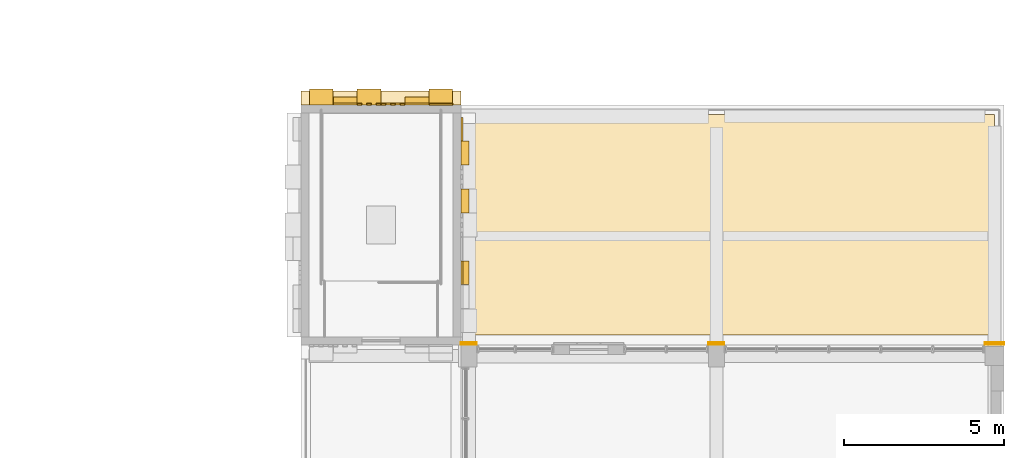
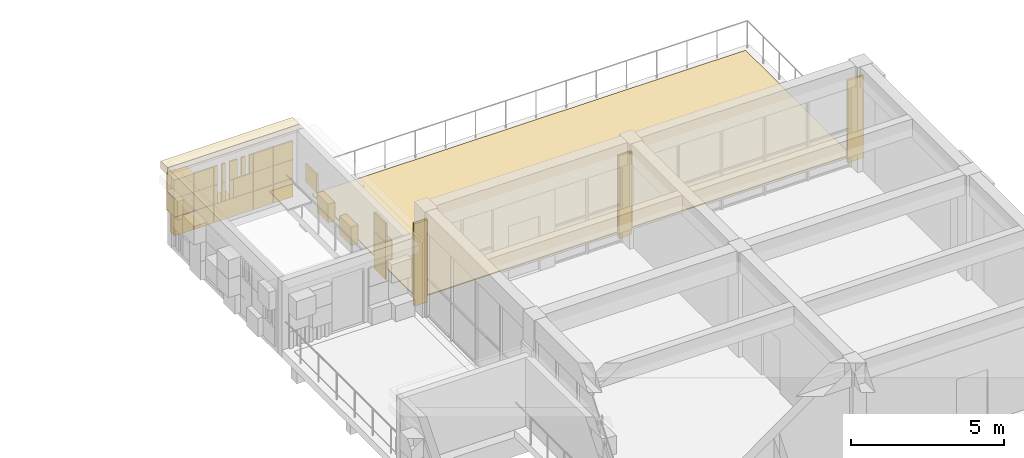
# One storey, part 26 of 26: 10 coverings.
"""IFC4 building model written with IfcOpenShell, lengths in metres."""

from ifc_helpers import new_model, si_unit, direction, frame, origin, origin_2d, place, context, subcontext, project, spatial, polyline, rectangle, outline, extrude, material, layer, layer_set, type_object, element, save


model = new_model("IFC4")

# Units and contexts
model_context = context("Model", 3, precision=1e-05, world=origin(), true_north=direction((0.0, 1.0)))
body_context = subcontext(model_context, "Body", "Model", "MODEL_VIEW")
ifc_project = project(units=[si_unit("LENGTHUNIT", "METRE"), si_unit("AREAUNIT", "SQUARE_METRE"), si_unit("VOLUMEUNIT", "CUBIC_METRE"), si_unit("PLANEANGLEUNIT", "RADIAN"), si_unit("MASSUNIT", "GRAM", prefix="KILO")], contexts=[model_context])

# Site, building, storey
site_placement = place(None, origin())
site = spatial("IfcSite", under=ifc_project, at=site_placement, CompositionType="ELEMENT")
building_placement = place(site_placement, origin())
building = spatial("IfcBuilding", under=site, at=building_placement, Name="Sun Court Science Centre", CompositionType="ELEMENT")
storey_placement = place(building_placement, frame((0.0, 0.0, 29.25)))
storey = spatial("IfcBuildingStorey", under=building, at=storey_placement, Name="L06", CompositionType="ELEMENT", Elevation=29.25)

# Coverings
ifc_material_1 = material(Name="Red sandstone", Category="masonry")
ifc_layer_1 = layer(ifc_material_1, 0.080078125)
ifc_layer_set_1 = layer_set([ifc_layer_1], Name="Red sandstone")
covering_type_1 = type_object("IfcCoveringType", Name="Red sandstone pier cladding", PredefinedType="CLADDING", material=ifc_layer_set_1)
covering_1_placement = place(storey_placement, frame((0.0, 0.0, -29.25)))
element("IfcCovering", 1, at=covering_1_placement, inside=storey, type_object=covering_type_1, Name="Red sandstone pier cladding observatory north face L06", PredefinedType="CLADDING", context=body_context, shape_type="SweptSolid", body=[
    extrude(rectangle(XDim=0.5, YDim=0.080078125, at=origin_2d()), frame((87.25, 73.5400390625, 29.25), z_axis=(0.0, 0.0, 1.0), x_axis=(1.0, 0.0, 0.0)), (0.0, 0.0, 1.0), 3.300048828125),
    extrude(rectangle(XDim=0.5, YDim=0.080078125, at=origin_2d()), frame((95.0, 73.5400390625, 29.25), z_axis=(0.0, 0.0, 1.0), x_axis=(1.0, 0.0, 0.0)), (0.0, 0.0, 1.0), 3.300048828125),
    extrude(rectangle(XDim=0.60009765625, YDim=0.080078125, at=origin_2d()), frame((103.699951171875, 73.5400390625, 29.25), z_axis=(0.0, 0.0, 1.0), x_axis=(1.0, 0.0, 0.0)), (0.0, 0.0, 1.0), 3.300048828125),
])
ifc_material_2 = material(Name="Sandstone paving", Category="masonry")
ifc_layer_2 = layer(ifc_material_2, 0.0400390625)
ifc_layer_set_2 = layer_set([ifc_layer_2], Name="Sandstone paving")
covering_type_2 = type_object("IfcCoveringType", Name="Terrace paving 40", PredefinedType="FLOORING", material=ifc_layer_set_2)
covering_2_placement = place(storey_placement, origin())
element("IfcCovering", 2, at=covering_2_placement, inside=storey, type_object=covering_type_2, Name="Observatory terrace paving", PredefinedType="FLOORING", context=body_context, shape_type="SweptSolid", body=[
    extrude(outline(polyline([(103.699951171875, 80.699951171875), (103.699951171875, 73.81005859375), (87.300048828125, 73.81005859375), (87.300048828125, 80.699951171875), (103.699951171875, 80.699951171875)])), origin(), (0.0, 0.0, 1.0), 0.0400390625),
])
ifc_material_3 = material(Name="Terracotta panel", Category="masonry")
ifc_layer_3 = layer(ifc_material_3, 0.449951171875)
ifc_layer_set_3 = layer_set([ifc_layer_3], Name="Terracotta panel")
covering_type_3 = type_object("IfcCoveringType", Name="Terracotta cornice 450", PredefinedType="CLADDING", material=ifc_layer_set_3)
covering_3_placement = place(storey_placement, frame((0.0, 0.0, -29.25)))
element("IfcCovering", 3, at=covering_3_placement, inside=storey, type_object=covering_type_3, Name="Terracotta cornice north face of core L06", PredefinedType="CLADDING", context=body_context, shape_type="SweptSolid", body=[
    extrude(rectangle(XDim=5.0, YDim=0.449951171875, at=origin_2d()), frame((84.5, 81.22509765625, 31.7001953125), z_axis=(0.0, 0.0, 1.0), x_axis=(1.0, 0.0, 0.0)), (0.0, 0.0, 1.0), 0.300048828125),
])
ifc_material_4 = material(Name="Terracotta jali", Category="masonry")
ifc_layer_4 = layer(ifc_material_4, 0.06005859375)
ifc_layer_set_4 = layer_set([ifc_layer_4], Name="Terracotta jali")
covering_type_4 = type_object("IfcCoveringType", Name="Terracotta open jali panel", PredefinedType="CLADDING", material=ifc_layer_set_4)
covering_4_placement = place(storey_placement, frame((0.0, 0.0, -29.25)))
element("IfcCovering", 4, at=covering_4_placement, inside=storey, type_object=covering_type_4, Name="Open jali pixel cladding north face of core L06", PredefinedType="CLADDING", context=body_context, shape_type="SweptSolid", body=[
    extrude(rectangle(XDim=0.139892578125, YDim=0.06005859375, at=origin_2d()), frame((83.824951171875, 81.030029296875, 29.93017578125), z_axis=(0.0, 0.0, 1.0), x_axis=(1.0, 0.0, 0.0)), (0.0, 0.0, 1.0), 0.739990234375),
    extrude(rectangle(XDim=0.139892578125, YDim=0.06005859375, at=origin_2d()), frame((84.125, 81.030029296875, 29.93017578125), z_axis=(0.0, 0.0, 1.0), x_axis=(1.0, 0.0, 0.0)), (0.0, 0.0, 1.0), 0.739990234375),
    extrude(rectangle(XDim=0.139892578125, YDim=0.06005859375, at=origin_2d()), frame((84.425048828125, 81.030029296875, 29.93017578125), z_axis=(0.0, 0.0, 1.0), x_axis=(1.0, 0.0, 0.0)), (0.0, 0.0, 1.0), 0.739990234375),
    extrude(rectangle(XDim=0.139892578125, YDim=0.06005859375, at=origin_2d()), frame((83.824951171875, 81.030029296875, 30.68017578125), z_axis=(0.0, 0.0, 1.0), x_axis=(1.0, 0.0, 0.0)), (0.0, 0.0, 1.0), 0.739990234375),
    extrude(rectangle(XDim=0.139892578125, YDim=0.06005859375, at=origin_2d()), frame((84.125, 81.030029296875, 30.68017578125), z_axis=(0.0, 0.0, 1.0), x_axis=(1.0, 0.0, 0.0)), (0.0, 0.0, 1.0), 0.739990234375),
    extrude(rectangle(XDim=0.139892578125, YDim=0.06005859375, at=origin_2d()), frame((84.425048828125, 81.030029296875, 30.68017578125), z_axis=(0.0, 0.0, 1.0), x_axis=(1.0, 0.0, 0.0)), (0.0, 0.0, 1.0), 0.739990234375),
    extrude(rectangle(XDim=0.139892578125, YDim=0.06005859375, at=origin_2d()), frame((84.574951171875, 81.030029296875, 30.68017578125), z_axis=(0.0, 0.0, 1.0), x_axis=(1.0, 0.0, 0.0)), (0.0, 0.0, 1.0), 0.739990234375),
    extrude(rectangle(XDim=0.139892578125, YDim=0.06005859375, at=origin_2d()), frame((84.875, 81.030029296875, 30.68017578125), z_axis=(0.0, 0.0, 1.0), x_axis=(1.0, 0.0, 0.0)), (0.0, 0.0, 1.0), 0.739990234375),
    extrude(rectangle(XDim=0.139892578125, YDim=0.06005859375, at=origin_2d()), frame((85.175048828125, 81.030029296875, 30.68017578125), z_axis=(0.0, 0.0, 1.0), x_axis=(1.0, 0.0, 0.0)), (0.0, 0.0, 1.0), 0.739990234375),
])
ifc_material_5 = material(Name="Terracotta shade 1", Category="masonry")
ifc_layer_5 = layer(ifc_material_5, 0.06005859375)
ifc_layer_set_5 = layer_set([ifc_layer_5], Name="Terracotta shade 1")
covering_type_5 = type_object("IfcCoveringType", Name="Terracotta pixel panel shade 1", PredefinedType="CLADDING", material=ifc_layer_set_5)
covering_5_placement = place(storey_placement, frame((0.0, 0.0, -29.25)))
element("IfcCovering", 5, at=covering_5_placement, inside=storey, type_object=covering_type_5, Name="Terracotta pixel cladding shade 1 north face of core L06", PredefinedType="CLADDING", context=body_context, shape_type="SweptSolid", body=[
    extrude(rectangle(XDim=0.739990234375, YDim=0.260009765625, at=origin_2d()), frame((82.625, 81.1298828125, 29.18017578125), z_axis=(0.0, 0.0, 1.0), x_axis=(1.0, 0.0, 0.0)), (0.0, 0.0, 1.0), 0.739990234375),
    extrude(rectangle(XDim=0.739990234375, YDim=0.260009765625, at=origin_2d()), frame((85.625, 81.1298828125, 29.18017578125), z_axis=(0.0, 0.0, 1.0), x_axis=(1.0, 0.0, 0.0)), (0.0, 0.0, 1.0), 0.739990234375),
    extrude(rectangle(XDim=0.739990234375, YDim=0.260009765625, at=origin_2d()), frame((85.625, 81.1298828125, 29.93017578125), z_axis=(0.0, 0.0, 1.0), x_axis=(1.0, 0.0, 0.0)), (0.0, 0.0, 1.0), 0.739990234375),
    extrude(rectangle(XDim=0.739990234375, YDim=0.510009765625, at=origin_2d()), frame((82.625, 81.2548828125, 30.68017578125), z_axis=(0.0, 0.0, 1.0), x_axis=(1.0, 0.0, 0.0)), (0.0, 0.0, 1.0), 0.739990234375),
    extrude(rectangle(XDim=0.739990234375, YDim=0.06005859375, at=origin_2d()), frame((85.625, 81.030029296875, 30.68017578125), z_axis=(0.0, 0.0, 1.0), x_axis=(1.0, 0.0, 0.0)), (0.0, 0.0, 1.0), 0.739990234375),
    extrude(rectangle(XDim=0.739990234375, YDim=0.510009765625, at=origin_2d()), frame((82.625, 81.2548828125, 29.93017578125), z_axis=(0.0, 0.0, 1.0), x_axis=(1.0, 0.0, 0.0)), (0.0, 0.0, 1.0), 0.739990234375),
])
ifc_material_6 = material(Name="Terracotta shade 2", Category="masonry")
ifc_layer_6 = layer(ifc_material_6, 0.06005859375)
ifc_layer_set_6 = layer_set([ifc_layer_6], Name="Terracotta shade 2")
covering_type_6 = type_object("IfcCoveringType", Name="Terracotta pixel panel shade 2", PredefinedType="CLADDING", material=ifc_layer_set_6)
covering_6_placement = place(storey_placement, frame((0.0, 0.0, -29.25)))
element("IfcCovering", 6, at=covering_6_placement, inside=storey, type_object=covering_type_6, Name="Terracotta pixel cladding shade 2 north face of core L06", PredefinedType="CLADDING", context=body_context, shape_type="SweptSolid", body=[
    extrude(rectangle(XDim=0.739990234375, YDim=0.260009765625, at=origin_2d()), frame((83.375, 81.1298828125, 29.18017578125), z_axis=(0.0, 0.0, 1.0), x_axis=(1.0, 0.0, 0.0)), (0.0, 0.0, 1.0), 0.739990234375),
    extrude(rectangle(XDim=0.739990234375, YDim=0.06005859375, at=origin_2d()), frame((84.875, 81.030029296875, 29.93017578125), z_axis=(0.0, 0.0, 1.0), x_axis=(1.0, 0.0, 0.0)), (0.0, 0.0, 1.0), 0.739990234375),
    extrude(rectangle(XDim=0.739990234375, YDim=0.06005859375, at=origin_2d()), frame((83.375, 81.030029296875, 30.68017578125), z_axis=(0.0, 0.0, 1.0), x_axis=(1.0, 0.0, 0.0)), (0.0, 0.0, 1.0), 0.739990234375),
    extrude(rectangle(XDim=0.739990234375, YDim=0.06005859375, at=origin_2d()), frame((83.375, 81.030029296875, 29.93017578125), z_axis=(0.0, 0.0, 1.0), x_axis=(1.0, 0.0, 0.0)), (0.0, 0.0, 1.0), 0.739990234375),
])
ifc_material_7 = material(Name="Terracotta shade 3", Category="masonry")
ifc_layer_7 = layer(ifc_material_7, 0.06005859375)
ifc_layer_set_7 = layer_set([ifc_layer_7], Name="Terracotta shade 3")
covering_type_7 = type_object("IfcCoveringType", Name="Terracotta pixel panel shade 3", PredefinedType="CLADDING", material=ifc_layer_set_7)
covering_7_placement = place(storey_placement, frame((0.0, 0.0, -29.25)))
element("IfcCovering", 7, at=covering_7_placement, inside=storey, type_object=covering_type_7, Name="Terracotta pixel cladding shade 3 east face of core L06", PredefinedType="CLADDING", context=body_context, shape_type="SweptSolid", body=[
    extrude(rectangle(XDim=0.739990234375, YDim=0.260009765625, at=origin_2d()), frame((87.1298828125, 79.5, 29.18017578125), z_axis=(0.0, 0.0, 1.0), x_axis=(0.0, -1.0, 0.0)), (0.0, 0.0, 1.0), 0.739990234375),
    extrude(rectangle(XDim=0.739990234375, YDim=0.260009765625, at=origin_2d()), frame((87.1298828125, 78.0, 29.18017578125), z_axis=(0.0, 0.0, 1.0), x_axis=(0.0, -1.0, 0.0)), (0.0, 0.0, 1.0), 0.739990234375),
    extrude(rectangle(XDim=0.739990234375, YDim=0.06005859375, at=origin_2d()), frame((87.030029296875, 80.25, 29.93017578125), z_axis=(0.0, 0.0, 1.0), x_axis=(0.0, -1.0, 0.0)), (0.0, 0.0, 1.0), 0.739990234375),
    extrude(rectangle(XDim=0.739990234375, YDim=0.06005859375, at=origin_2d()), frame((87.030029296875, 75.75, 30.68017578125), z_axis=(0.0, 0.0, 1.0), x_axis=(0.0, -1.0, 0.0)), (0.0, 0.0, 1.0), 0.739990234375),
    extrude(rectangle(XDim=0.739990234375, YDim=0.06005859375, at=origin_2d()), frame((87.030029296875, 75.75, 29.18017578125), z_axis=(0.0, 0.0, 1.0), x_axis=(0.0, -1.0, 0.0)), (0.0, 0.0, 1.0), 0.739990234375),
    extrude(rectangle(XDim=0.739990234375, YDim=0.260009765625, at=origin_2d()), frame((87.1298828125, 75.75, 29.93017578125), z_axis=(0.0, 0.0, 1.0), x_axis=(0.0, -1.0, 0.0)), (0.0, 0.0, 1.0), 0.739990234375),
])
covering_8_placement = place(storey_placement, frame((0.0, 0.0, -29.25)))
element("IfcCovering", 8, at=covering_8_placement, inside=storey, type_object=covering_type_7, Name="Terracotta pixel cladding shade 3 north face of core L06", PredefinedType="CLADDING", context=body_context, shape_type="SweptSolid", body=[
    extrude(rectangle(XDim=0.739990234375, YDim=0.510009765625, at=origin_2d()), frame((84.125, 81.2548828125, 29.18017578125), z_axis=(0.0, 0.0, 1.0), x_axis=(1.0, 0.0, 0.0)), (0.0, 0.0, 1.0), 0.739990234375),
    extrude(rectangle(XDim=0.739990234375, YDim=0.06005859375, at=origin_2d()), frame((84.875, 81.030029296875, 29.18017578125), z_axis=(0.0, 0.0, 1.0), x_axis=(1.0, 0.0, 0.0)), (0.0, 0.0, 1.0), 0.739990234375),
    extrude(rectangle(XDim=0.739990234375, YDim=0.06005859375, at=origin_2d()), frame((86.375, 81.030029296875, 30.68017578125), z_axis=(0.0, 0.0, 1.0), x_axis=(1.0, 0.0, 0.0)), (0.0, 0.0, 1.0), 0.739990234375),
])
ifc_material_8 = material(Name="Terracotta shade 4", Category="masonry")
ifc_layer_8 = layer(ifc_material_8, 0.06005859375)
ifc_layer_set_8 = layer_set([ifc_layer_8], Name="Terracotta shade 4")
covering_type_8 = type_object("IfcCoveringType", Name="Terracotta pixel panel shade 4", PredefinedType="CLADDING", material=ifc_layer_set_8)
covering_9_placement = place(storey_placement, frame((0.0, 0.0, -29.25)))
element("IfcCovering", 9, at=covering_9_placement, inside=storey, type_object=covering_type_8, Name="Terracotta pixel cladding shade 4 north face of core L06", PredefinedType="CLADDING", context=body_context, shape_type="SweptSolid", body=[
    extrude(rectangle(XDim=0.739990234375, YDim=0.510009765625, at=origin_2d()), frame((86.375, 81.2548828125, 29.18017578125), z_axis=(0.0, 0.0, 1.0), x_axis=(1.0, 0.0, 0.0)), (0.0, 0.0, 1.0), 0.739990234375),
])
ifc_material_9 = material(Name="Terracotta shade 5", Category="masonry")
ifc_layer_9 = layer(ifc_material_9, 0.06005859375)
ifc_layer_set_9 = layer_set([ifc_layer_9], Name="Terracotta shade 5")
covering_type_9 = type_object("IfcCoveringType", Name="Terracotta pixel panel shade 5", PredefinedType="CLADDING", material=ifc_layer_set_9)
covering_10_placement = place(storey_placement, frame((0.0, 0.0, -29.25)))
element("IfcCovering", 10, at=covering_10_placement, inside=storey, type_object=covering_type_9, Name="Terracotta pixel cladding shade 5 north face of core L06", PredefinedType="CLADDING", context=body_context, shape_type="SweptSolid", body=[
    extrude(rectangle(XDim=0.739990234375, YDim=0.06005859375, at=origin_2d()), frame((86.375, 81.030029296875, 29.93017578125), z_axis=(0.0, 0.0, 1.0), x_axis=(1.0, 0.0, 0.0)), (0.0, 0.0, 1.0), 0.739990234375),
])

save(model, "model.ifc")
